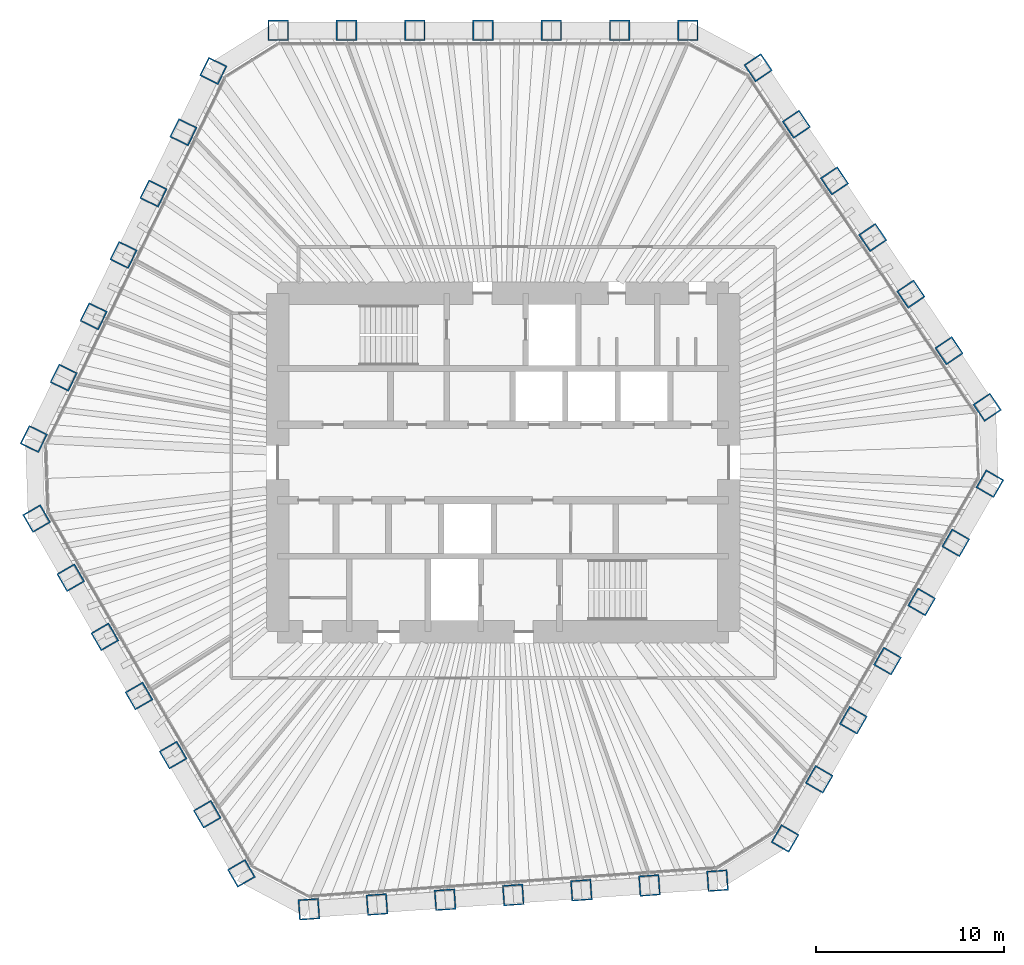
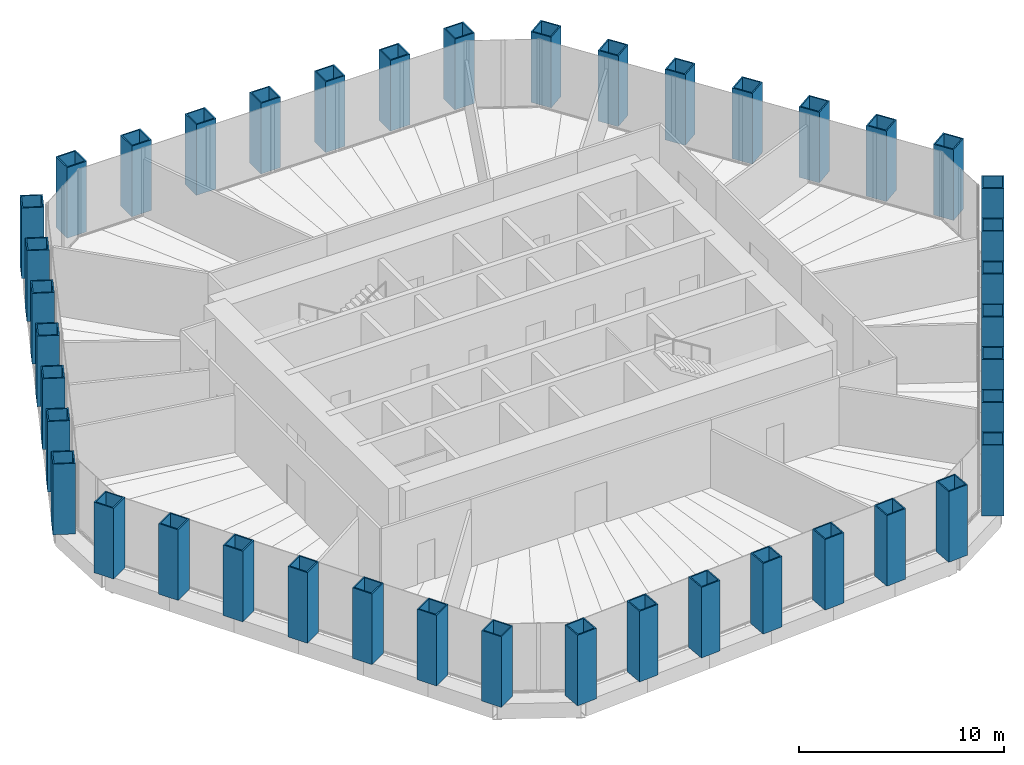
# One storey, part 1 of 13: 42 columns.
"""IFC4 building model written with IfcOpenShell, lengths in metres."""

from ifc_helpers import new_model, si_unit, direction, frame, origin, origin_2d, place, context, subcontext, project, spatial, hollow_rectangle, extrude, material, material_profile, profile_set, type_object, element, save


model = new_model("IFC4")

# Units and contexts
model_context = context("Model", 3, precision=1e-05, world=origin(), true_north=direction((0.0, 1.0)))
body_context = subcontext(model_context, "Body", "Model", "MODEL_VIEW")
ifc_project = project(units=[si_unit("LENGTHUNIT", "METRE"), si_unit("AREAUNIT", "SQUARE_METRE"), si_unit("VOLUMEUNIT", "CUBIC_METRE"), si_unit("PLANEANGLEUNIT", "RADIAN"), si_unit("MASSUNIT", "GRAM", prefix="KILO")], contexts=[model_context])

# Site, building, storey
site_placement = place(None, origin())
site = spatial("IfcSite", under=ifc_project, at=site_placement, CompositionType="ELEMENT")
building_placement = place(site_placement, origin())
building = spatial("IfcBuilding", under=site, at=building_placement, Name="Qingtian Harvest Tower", CompositionType="ELEMENT")
storey_placement = place(building_placement, frame((0.0, 0.0, 188.800048828125)))
storey = spatial("IfcBuildingStorey", under=building, at=storey_placement, Name="L40", CompositionType="ELEMENT", Elevation=188.800048828125)

# Columns
ifc_material = material(Name="Steel SM570MC", Category="steel")
ifc_material_profile = material_profile(ifc_material, hollow_rectangle(XDim=1.10009765625, YDim=1.10009765625, WallThickness=0.070068359375, at=origin_2d()), Name="BOX1100x1100x70")
ifc_profile_set = profile_set([ifc_material_profile], Name="Steel SM570MC")
column_type = type_object("IfcColumnType", Name="Tube column TC5 BOX1100x1100x70", PredefinedType="COLUMN", material=ifc_profile_set)
for number, where, z_axis, x_axis, name in (
    (1, (-11.971923828125, 23.0, 0.0), (0.0, 0.0, 1.0), (-1.0, 0.0, 0.0), "Tube column TC5 N0"),
    (2, (-8.33837890625, 23.0, 0.0), (0.0, 0.0, 1.0), (-1.0, 0.0, 0.0), "Tube column TC5 N1"),
    (3, (-4.704833984375, 23.0, 0.0), (0.0, 0.0, 1.0), (-1.0, 0.0, 0.0), "Tube column TC5 N2"),
    (4, (-1.0712890625, 23.0, 0.0), (0.0, 0.0, 1.0), (-1.0, 0.0, 0.0), "Tube column TC5 N3"),
    (5, (2.562255859375, 23.0, 0.0), (0.0, 0.0, 1.0), (-1.0, 0.0, 0.0), "Tube column TC5 N4"),
    (6, (6.19580078125, 23.0, 0.0), (0.0, 0.0, 1.0), (-1.0, 0.0, 0.0), "Tube column TC5 N5"),
    (7, (9.829345703125, 23.0, 0.0), (0.0, 0.0, 1.0), (-1.0, 0.0, 0.0), "Tube column TC5 N6"),
    (8, (13.5712890625, 21.01025390625, 0.0), (0.0, 0.0, 1.0), (-0.559192903471, 0.829037572555, 0.0), "Tube column TC5 NE0"),
    (9, (15.603271484375, 17.998046875, 0.0), (0.0, 0.0, 1.0), (-0.559192903471, 0.829037572555, 0.0), "Tube column TC5 NE1"),
    (10, (17.635009765625, 14.985595703125, 0.0), (0.0, 0.0, 1.0), (-0.559192903471, 0.829037572555, 0.0), "Tube column TC5 NE2"),
    (11, (19.6669921875, 11.97314453125, 0.0), (0.0, 0.0, 1.0), (-0.559192903471, 0.829037572555, 0.0), "Tube column TC5 NE3"),
    (12, (21.69873046875, 8.9609375, 0.0), (0.0, 0.0, 1.0), (-0.559192903471, 0.829037572555, 0.0), "Tube column TC5 NE4"),
    (13, (23.730712890625, 5.948486328125, 0.0), (0.0, 0.0, 1.0), (-0.559192903471, 0.829037572555, 0.0), "Tube column TC5 NE5"),
    (14, (25.762451171875, 2.936279296875, 0.0), (0.0, 0.0, 1.0), (-0.559192903471, 0.829037572555, 0.0), "Tube column TC5 NE6"),
    (15, (25.904541015625, -1.1318359375, 0.0), (0.0, 0.0, 1.0), (0.5, 0.866025403784, 0.0), "Tube column TC5 SE0"),
    (16, (24.087890625, -4.27880859375, 0.0), (0.0, 0.0, 1.0), (0.5, 0.866025403784, 0.0), "Tube column TC5 SE1"),
    (17, (22.27099609375, -7.425537109375, 0.0), (0.0, 0.0, 1.0), (0.5, 0.866025403784, 0.0), "Tube column TC5 SE2"),
    (18, (20.454345703125, -10.572265625, 0.0), (0.0, 0.0, 1.0), (0.5, 0.866025403784, 0.0), "Tube column TC5 SE3"),
    (19, (18.637451171875, -13.718994140625, 0.0), (0.0, 0.0, 1.0), (0.5, 0.866025403784, 0.0), "Tube column TC5 SE4"),
    (20, (16.82080078125, -16.86572265625, 0.0), (0.0, 0.0, 1.0), (0.5, 0.866025403784, 0.0), "Tube column TC5 SE5"),
    (21, (15.00390625, -20.012451171875, 0.0), (0.0, 0.0, 1.0), (0.5, 0.866025403784, 0.0), "Tube column TC5 SE6"),
    (22, (11.40966796875, -22.25830078125, 0.0), (0.0, 0.0, 1.0), (0.99756405026, 0.069756473744, 0.0), "Tube column TC5 S0"),
    (23, (7.78515625, -22.51171875, 0.0), (0.0, 0.0, 1.0), (0.99756405026, 0.069756473744, 0.0), "Tube column TC5 S1"),
    (24, (4.160400390625, -22.76513671875, 0.0), (0.0, 0.0, 1.0), (0.99756405026, 0.069756473744, 0.0), "Tube column TC5 S2"),
    (25, (0.53564453125, -23.018798828125, 0.0), (0.0, 0.0, 1.0), (0.99756405026, 0.069756473744, 0.0), "Tube column TC5 S3"),
    (26, (-3.089111328125, -23.272216796875, 0.0), (0.0, 0.0, 1.0), (0.99756405026, 0.069756473744, 0.0), "Tube column TC5 S4"),
    (27, (-6.713623046875, -23.525634765625, 0.0), (0.0, 0.0, 1.0), (0.99756405026, 0.069756473744, 0.0), "Tube column TC5 S5"),
    (28, (-10.33837890625, -23.779052734375, 0.0), (0.0, 0.0, 1.0), (0.99756405026, 0.069756473744, 0.0), "Tube column TC5 S6"),
    (29, (-13.9326171875, -21.8681640625, 0.0), (0.0, 0.0, 1.0), (0.5, -0.866025403784, 0.0), "Tube column TC5 SW0"),
    (30, (-15.749267578125, -18.72119140625, 0.0), (0.0, 0.0, 1.0), (0.5, -0.866025403784, 0.0), "Tube column TC5 SW1"),
    (31, (-17.566162109375, -15.574462890625, 0.0), (0.0, 0.0, 1.0), (0.5, -0.866025403784, 0.0), "Tube column TC5 SW2"),
    (32, (-19.3828125, -12.427734375, 0.0), (0.0, 0.0, 1.0), (0.5, -0.866025403784, 0.0), "Tube column TC5 SW3"),
    (33, (-21.19970703125, -9.281005859375, 0.0), (0.0, 0.0, 1.0), (0.5, -0.866025403784, 0.0), "Tube column TC5 SW4"),
    (34, (-23.016357421875, -6.13427734375, 0.0), (0.0, 0.0, 1.0), (0.5, -0.866025403784, 0.0), "Tube column TC5 SW5"),
    (35, (-24.833251953125, -2.987548828125, 0.0), (0.0, 0.0, 1.0), (0.5, -0.866025403784, 0.0), "Tube column TC5 SW6"),
    (36, (-24.981201171875, 1.248046875, 0.0), (0.0, 0.0, 1.0), (-0.438371146789, -0.898794046299, 0.0), "Tube column TC5 NW0"),
    (37, (-23.388427734375, 4.513916015625, 0.0), (0.0, 0.0, 1.0), (-0.438371146789, -0.898794046299, 0.0), "Tube column TC5 NW1"),
    (38, (-21.79541015625, 7.779541015625, 0.0), (0.0, 0.0, 1.0), (-0.438371146789, -0.898794046299, 0.0), "Tube column TC5 NW2"),
    (39, (-20.20263671875, 11.04541015625, 0.0), (0.0, 0.0, 1.0), (-0.438371146789, -0.898794046299, 0.0), "Tube column TC5 NW3"),
    (40, (-18.60986328125, 14.311279296875, 0.0), (0.0, 0.0, 1.0), (-0.438371146789, -0.898794046299, 0.0), "Tube column TC5 NW4"),
    (41, (-17.016845703125, 17.5771484375, 0.0), (0.0, 0.0, 1.0), (-0.438371146789, -0.898794046299, 0.0), "Tube column TC5 NW5"),
    (42, (-15.424072265625, 20.8427734375, 0.0), (0.0, 0.0, 1.0), (-0.438371146789, -0.898794046299, 0.0), "Tube column TC5 NW6"),
):
    element("IfcColumn", number, at=place(storey_placement, frame(where, z_axis=z_axis, x_axis=x_axis)), inside=storey, type_object=column_type, Name=name, PredefinedType="COLUMN", context=body_context, shape_type="SweptSolid", body=[
        extrude(hollow_rectangle(XDim=1.10009765625, YDim=1.10009765625, WallThickness=0.070068359375, at=origin_2d()), origin(), (0.0, 0.0, 1.0), 4.199951171875),
    ])

save(model, "model.ifc")
